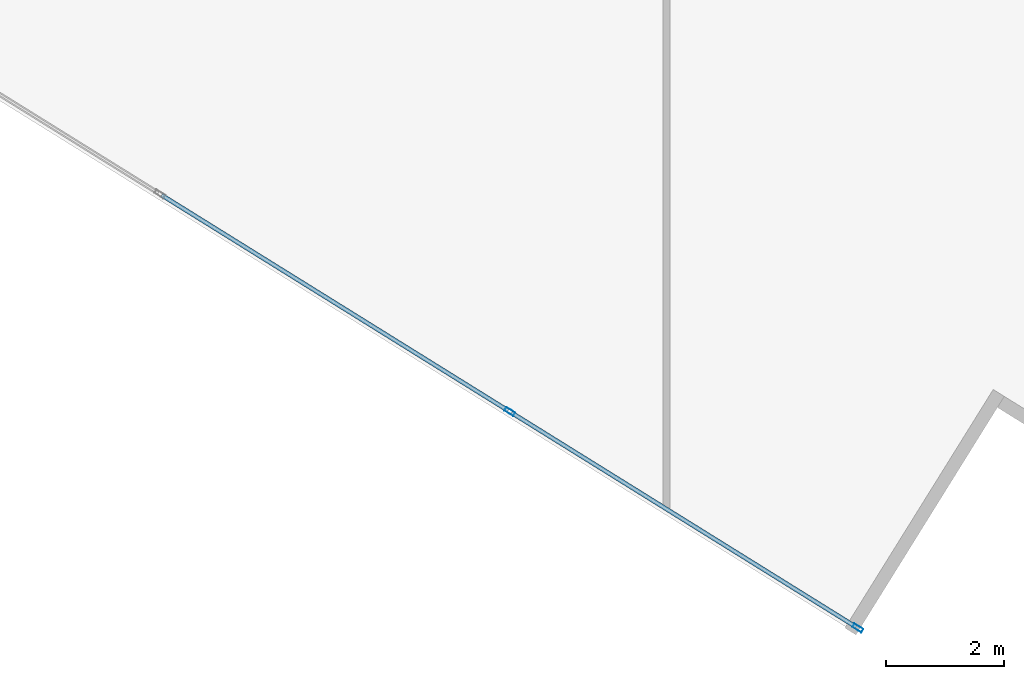
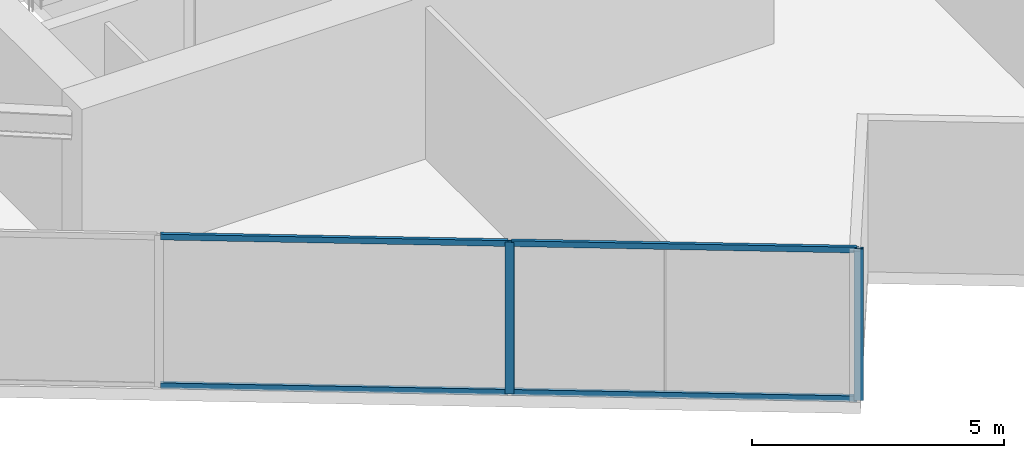
# One storey, part 3 of 25: 6 members, 1 element without a shape of its own.
"""IFC4 building model written with IfcOpenShell, lengths in metres."""

from ifc_helpers import new_model, si_unit, direction, frame, origin, origin_2d, place, context, subcontext, project, spatial, hollow_rectangle, extrude, source, transform, mapped, material, material_profile, profile_set, type_object, type_shapes, element, aggregate, save


model = new_model("IFC4")

# Units and contexts
model_context = context("Model", 3, precision=1e-05, world=origin(), true_north=direction((0.0, 1.0)))
body_context = subcontext(model_context, "Body", "Model", "MODEL_VIEW")
ifc_project = project(units=[si_unit("LENGTHUNIT", "METRE"), si_unit("AREAUNIT", "SQUARE_METRE"), si_unit("VOLUMEUNIT", "CUBIC_METRE"), si_unit("PLANEANGLEUNIT", "RADIAN"), si_unit("MASSUNIT", "GRAM", prefix="KILO")], contexts=[model_context])

# Site, building, storey
site_placement = place(None, origin())
site = spatial("IfcSite", under=ifc_project, at=site_placement, CompositionType="ELEMENT")
building_placement = place(site_placement, origin())
building = spatial("IfcBuilding", under=site, at=building_placement, Name="Krantzveldt Concourse Tower", CompositionType="ELEMENT")
storey_placement = place(building_placement, frame((0.0, 0.0, 181.75)))
storey = spatial("IfcBuildingStorey", under=building, at=storey_placement, Name="L44", CompositionType="ELEMENT", Elevation=181.75)

# Curtain wall, members
ifc_material = material(Name="Anodised aluminium 6063-T6", Category="aluminium")
curtain_wall_type = type_object("IfcCurtainWallType", Name="CW3", PredefinedType="USERDEFINED", material=ifc_material)
curtain_wall_placement = place(storey_placement, origin())
curtain_wall = element("IfcCurtainWall", 1, at=curtain_wall_placement, inside=storey, type_object=curtain_wall_type, Name="CW-L44-F04", ObjectType="UNITISED CURTAIN WALL", PredefinedType="USERDEFINED")
ifc_material_profile_1 = material_profile(ifc_material, hollow_rectangle(XDim=0.070068359375, YDim=0.179931640625, WallThickness=0.0048828125, at=origin_2d()), Name="Anodised aluminium 6063-T6", Category="aluminium")
ifc_profile_set_1 = profile_set([ifc_material_profile_1], Name="Anodised aluminium 6063-T6 - ALU-MULL 180x70x5")
member_type_1 = type_object("IfcMemberType", Name="CW-MUL-180", PredefinedType="MULLION", material=ifc_profile_set_1)
shared_shape_1 = source(origin(), body_context, "Body", "SweptSolid", [
    extrude(hollow_rectangle(XDim=0.070068359375, YDim=0.179931640625, WallThickness=0.0048828125, at=origin_2d()), origin(), (0.0, 0.0, 1.0), 3.669921875),
])
type_shapes(member_type_1, [shared_shape_1])
member_1_placement = place(storey_placement, frame((33.3486328125, 2.665771484375, 0.0), z_axis=(0.0, 0.0, 1.0), x_axis=(0.528067901977, 0.84920214961, 0.0)))
member_1 = element("IfcMember", 2, at=member_1_placement, type_object=member_type_1, Name="CW-Z34 mullion 5", PredefinedType="MULLION", context=body_context, shape_type="MappedRepresentation", body=[
    mapped(shared_shape_1, transform((0.0, 0.0, 0.0), x_axis=(1.0, 0.0, 0.0), y_axis=(0.0, 1.0, 0.0), z_axis=(0.0, 0.0, 1.0), scale=1.0)),
])
member_2_placement = place(storey_placement, frame((39.229248046875, -0.990966796875, 0.0), z_axis=(0.0, 0.0, 1.0), x_axis=(0.528067901977, 0.84920214961, 0.0)))
member_2 = element("IfcMember", 3, at=member_2_placement, type_object=member_type_1, Name="CW-Z34 mullion 6", PredefinedType="MULLION", context=body_context, shape_type="MappedRepresentation", body=[
    mapped(shared_shape_1, transform((0.0, 0.0, 0.0), x_axis=(1.0, 0.0, 0.0), y_axis=(0.0, 1.0, 0.0), z_axis=(0.0, 0.0, 1.0), scale=1.0)),
])
ifc_material_profile_2 = material_profile(ifc_material, hollow_rectangle(XDim=0.070068359375, YDim=0.139892578125, WallThickness=0.0048828125, at=origin_2d()), Name="Anodised aluminium 6063-T6", Category="aluminium")
ifc_profile_set_2 = profile_set([ifc_material_profile_2], Name="Anodised aluminium 6063-T6 - ALU-TRAN 140x70x5")
member_type_2 = type_object("IfcMemberType", Name="CW-TRN-150", PredefinedType="USERDEFINED", material=ifc_profile_set_2)
shared_shape_2 = source(origin(), body_context, "Body", "SweptSolid", [
    extrude(hollow_rectangle(XDim=0.070068359375, YDim=0.139892578125, WallThickness=0.0048828125, at=origin_2d()), origin(), (0.0, 0.0, 1.0), 6.85498046875),
])
member_3_placement = place(storey_placement, frame((33.378173828125, 2.6474609375, 0.034912109375), z_axis=(0.849204609246, -0.52806394654, 0.0), x_axis=(0.52806394654, 0.849204609246, 0.0)))
member_3 = element("IfcMember", 4, at=member_3_placement, type_object=member_type_2, Name="CW-Z34 transom 5.1", ObjectType="TRANSOM", PredefinedType="USERDEFINED", context=body_context, shape_type="MappedRepresentation", body=[
    mapped(shared_shape_2, transform((0.0, 0.0, 0.0), x_axis=(1.0, 0.0, 0.0), y_axis=(0.0, 1.0, 0.0), z_axis=(0.0, 0.0, 1.0), scale=1.0)),
])
member_4_placement = place(storey_placement, frame((33.378173828125, 2.6474609375, 3.635009765625), z_axis=(0.849204609246, -0.52806394654, 0.0), x_axis=(0.52806394654, 0.849204609246, 0.0)))
member_4 = element("IfcMember", 5, at=member_4_placement, type_object=member_type_2, Name="CW-Z34 transom 5.2", ObjectType="TRANSOM", PredefinedType="USERDEFINED", context=body_context, shape_type="MappedRepresentation", body=[
    mapped(shared_shape_2, transform((0.0, 0.0, 0.0), x_axis=(1.0, 0.0, 0.0), y_axis=(0.0, 1.0, 0.0), z_axis=(0.0, 0.0, 1.0), scale=1.0)),
])
shared_shape_3 = source(origin(), body_context, "Body", "SweptSolid", [
    extrude(hollow_rectangle(XDim=0.070068359375, YDim=0.139892578125, WallThickness=0.0048828125, at=origin_2d()), origin(), (0.0, 0.0, 1.0), 6.89013671875),
])
type_shapes(member_type_2, [shared_shape_2, shared_shape_3])
member_5_placement = place(storey_placement, frame((27.4677734375, 6.32275390625, 0.034912109375), z_axis=(0.849202443437, -0.528067429464, 0.0), x_axis=(0.528067429464, 0.849202443437, 0.0)))
member_5 = element("IfcMember", 6, at=member_5_placement, type_object=member_type_2, Name="CW-Z34 transom 4.1", ObjectType="TRANSOM", PredefinedType="USERDEFINED", context=body_context, shape_type="MappedRepresentation", body=[
    mapped(shared_shape_3, transform((0.0, 0.0, 0.0), x_axis=(1.0, 0.0, 0.0), y_axis=(0.0, 1.0, 0.0), z_axis=(0.0, 0.0, 1.0), scale=1.0)),
])
member_6_placement = place(storey_placement, frame((27.4677734375, 6.32275390625, 3.635009765625), z_axis=(0.849202443437, -0.528067429464, 0.0), x_axis=(0.528067429464, 0.849202443437, 0.0)))
member_6 = element("IfcMember", 7, at=member_6_placement, type_object=member_type_2, Name="CW-Z34 transom 4.2", ObjectType="TRANSOM", PredefinedType="USERDEFINED", context=body_context, shape_type="MappedRepresentation", body=[
    mapped(shared_shape_3, transform((0.0, 0.0, 0.0), x_axis=(1.0, 0.0, 0.0), y_axis=(0.0, 1.0, 0.0), z_axis=(0.0, 0.0, 1.0), scale=1.0)),
])
aggregate(curtain_wall, [member_1, member_2, member_5, member_6, member_3, member_4])

save(model, "model.ifc")
